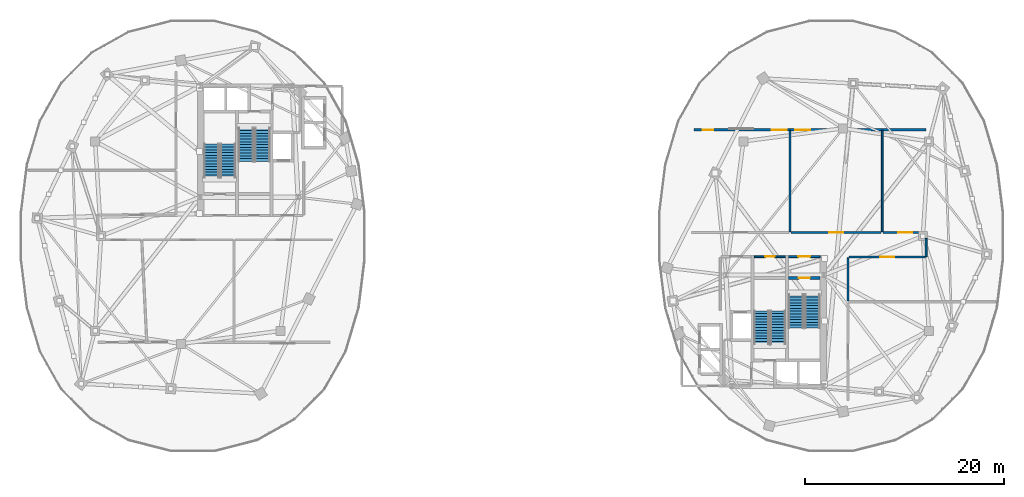
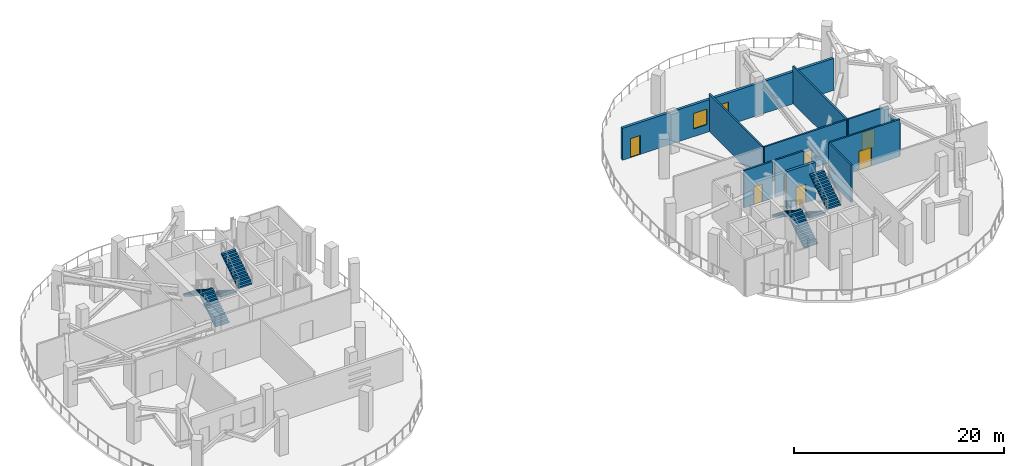
# One storey, part 9 of 14: 11 walls, 8 stair flights, 7 doors, 2 windows, 9 openings, 4 elements without a shape of their own.
"""IFC4 building model written with IfcOpenShell, lengths in metres."""

from ifc_helpers import new_model, si_unit, direction, frame, frame_2d, origin, place, context, subcontext, project, spatial, polyline, rectangle, outline, extrude, material, layer, layer_set, type_object, element, fill, aggregate, save


model = new_model("IFC4")

# Units and contexts
model_context = context("Model", 3, precision=1e-05, world=origin(), true_north=direction((0.0, 1.0)))
body_context = subcontext(model_context, "Body", "Model", "MODEL_VIEW")
ifc_project = project(units=[si_unit("LENGTHUNIT", "METRE"), si_unit("AREAUNIT", "SQUARE_METRE"), si_unit("VOLUMEUNIT", "CUBIC_METRE"), si_unit("PLANEANGLEUNIT", "RADIAN"), si_unit("MASSUNIT", "GRAM", prefix="KILO"), si_unit("THERMODYNAMICTEMPERATUREUNIT", "KELVIN"), si_unit("POWERUNIT", "WATT")], contexts=[model_context])

# Site, building, storey
site_placement = place(None, origin())
site = spatial("IfcSite", under=ifc_project, at=site_placement, CompositionType="ELEMENT")
building_placement = place(site_placement, origin())
building = spatial("IfcBuilding", under=site, at=building_placement, Name="Cundina Bronze Exchange", CompositionType="ELEMENT")
storey_placement = place(building_placement, frame((0.0, 0.0, 187.199951171875)))
storey = spatial("IfcBuildingStorey", under=building, at=storey_placement, Name="L49", CompositionType="ELEMENT", Elevation=187.199951171875)

# Wall, opening, door
ifc_material_1 = material(Name="Gypsum Fireboard Partition EI120")
ifc_layer_1 = layer(ifc_material_1, 0.179931640625, Name="Gypsum Fireboard Partition EI120")
ifc_layer_set_1 = layer_set([ifc_layer_1], Name="Gypsum Fireboard Partition EI120")
wall_type_1 = type_object("IfcWallType", Name="WL-COR-180", PredefinedType="PARTITIONING", material=ifc_layer_set_1)
wall_1_placement = place(storey_placement, frame((27.739990234375, -2.06005859375, 0.0), z_axis=(0.0, 0.0, 1.0), x_axis=(1.0, 0.0, 0.0)))
wall_1 = element("IfcWall", 1, at=wall_1_placement, inside=storey, type_object=wall_type_1, Name="L49 E Stair Vestibule Exit Wall", PredefinedType="PARTITIONING", context=body_context, shape_type="SweptSolid", body=[
    extrude(rectangle(XDim=3.159912109375, YDim=0.179931640625, at=frame_2d((1.580078125, 0.0))), origin(), (0.0, 0.0, 1.0), 4.340087890625),
])
opening_1_placement = place(wall_1_placement, frame((0.97998046875, 0.0, 0.0)))
opening_1 = element("IfcOpeningElement", 2, at=opening_1_placement, cuts=wall_1, Name="Opening DF-01", PredefinedType="OPENING", context=body_context, shape_type="SweptSolid", body=[
    extrude(rectangle(XDim=1.199951171875, YDim=2.14990234375, at=frame_2d((0.60009765625, 1.074951171875))), frame((0.0, 0.099853515625, 0.0), z_axis=(0.0, -1.0, 0.0), x_axis=(1.0, 0.0, 0.0)), (0.0, 0.0, 1.0), 0.199951171875),
])
ifc_material_2 = material(Name="Steel ASTM A36 Painted", Category="steel")
door_type_1 = type_object("IfcDoorType", Name="DR-FFL-1200", OperationType="NOTDEFINED", PredefinedType="DOOR", material=ifc_material_2)
door_1_placement = place(opening_1_placement, origin())
door_1 = element("IfcDoor", 3, at=door_1_placement, inside=storey, type_object=door_type_1, Name="L49 E Stair Vestibule Door", OperationType="SINGLE_SWING_RIGHT", OverallHeight=2.14990234375, OverallWidth=1.199951171875, PredefinedType="DOOR", context=body_context, shape_type="SweptSolid", body=[
    extrude(rectangle(XDim=1.199951171875, YDim=2.14990234375, at=frame_2d((0.60009765625, 1.074951171875))), frame((0.0, 0.02490234375, 0.0), z_axis=(0.0, -1.0, 0.0), x_axis=(1.0, 0.0, 0.0)), (0.0, 0.0, 1.0), 0.050048828125),
])
fill(opening_1, door_1)

wall_2_placement = place(storey_placement, frame((24.300048828125, -2.070068359375, 0.0), z_axis=(0.0, 0.0, 1.0), x_axis=(1.0, 0.0, 0.0)))
wall_2 = element("IfcWall", 4, at=wall_2_placement, inside=storey, type_object=wall_type_1, Name="L49 Interior Partition 025", PredefinedType="PARTITIONING", context=body_context, shape_type="SweptSolid", body=[
    extrude(rectangle(XDim=3.119873046875, YDim=0.179931640625, at=frame_2d((1.56005859375, 0.0))), origin(), (0.0, 0.0, 1.0), 4.340087890625),
])
opening_2_placement = place(wall_2_placement, frame((1.0849609375, 0.0, 0.0)))
opening_2 = element("IfcOpeningElement", 5, at=opening_2_placement, cuts=wall_2, Name="Opening DW-01", PredefinedType="OPENING", context=body_context, shape_type="SweptSolid", body=[
    extrude(rectangle(XDim=0.949951171875, YDim=2.10009765625, at=frame_2d((0.47509765625, 1.050048828125))), frame((0.0, 0.099853515625, 0.0), z_axis=(0.0, -1.0, 0.0), x_axis=(1.0, 0.0, 0.0)), (0.0, 0.0, 1.0), 0.199951171875),
])
ifc_material_3 = material(Name="Solid Andean Oak Timber Grade A", Category="wood")
door_type_2 = type_object("IfcDoorType", Name="DR-WC-950", OperationType="NOTDEFINED", PredefinedType="DOOR", material=ifc_material_3)
door_2_placement = place(opening_2_placement, origin())
door_2 = element("IfcDoor", 6, at=door_2_placement, inside=storey, type_object=door_type_2, Name="L49 Interior Door 025", OperationType="SINGLE_SWING_RIGHT", OverallHeight=2.10009765625, OverallWidth=0.949951171875, PredefinedType="DOOR", context=body_context, shape_type="SweptSolid", body=[
    extrude(rectangle(XDim=0.949951171875, YDim=2.10009765625, at=frame_2d((0.47509765625, 1.050048828125))), frame((0.0, 0.02490234375, 0.0), z_axis=(0.0, -1.0, 0.0), x_axis=(1.0, 0.0, 0.0)), (0.0, 0.0, 1.0), 0.050048828125),
])
fill(opening_2, door_2)

# Wall
wall_3_placement = place(storey_placement, frame((37.1201171875, 0.43994140625, 0.0), z_axis=(0.0, 0.0, 1.0), x_axis=(0.0, 1.0, 0.0)))
element("IfcWall", 7, at=wall_3_placement, inside=storey, type_object=wall_type_1, Name="L49 Interior Partition 027", PredefinedType="PARTITIONING", context=body_context, shape_type="SweptSolid", body=[
    extrude(rectangle(XDim=10.16015625, YDim=0.179931640625, at=frame_2d((5.080078125, 0.0))), origin(), (0.0, 0.0, 1.0), 4.340087890625),
])

# Wall, opening, door
wall_4_placement = place(storey_placement, frame((41.65869140625, 0.3701171875, 0.0), z_axis=(0.0, 0.0, 1.0), x_axis=(-1.0, 0.0, 0.0)))
wall_4 = element("IfcWall", 8, at=wall_4_placement, inside=storey, type_object=wall_type_1, Name="L49 Interior Partition 030", PredefinedType="PARTITIONING", context=body_context, shape_type="SweptSolid", body=[
    extrude(rectangle(XDim=4.438720703125, YDim=0.179931640625, at=frame_2d((2.21923828125, 0.0))), origin(), (0.0, 0.0, 1.0), 4.340087890625),
])
opening_3_placement = place(wall_4_placement, frame((1.519287109375, 0.0, 0.0)))
opening_3 = element("IfcOpeningElement", 9, at=opening_3_placement, cuts=wall_4, Name="Opening DP-01", PredefinedType="OPENING", context=body_context, shape_type="SweptSolid", body=[
    extrude(rectangle(XDim=1.39990234375, YDim=2.199951171875, at=frame_2d((0.699951171875, 1.10009765625))), frame((0.0, 0.099853515625, 0.0), z_axis=(0.0, -1.0, 0.0), x_axis=(1.0, 0.0, 0.0)), (0.0, 0.0, 1.0), 0.199951171875),
])
door_type_3 = type_object("IfcDoorType", Name="DR-PLT-1400", OperationType="NOTDEFINED", PredefinedType="DOOR", material=ifc_material_2)
door_3_placement = place(opening_3_placement, origin())
door_3 = element("IfcDoor", 10, at=door_3_placement, inside=storey, type_object=door_type_3, Name="L49 Interior Door 030", OperationType="SINGLE_SWING_RIGHT", OverallHeight=2.199951171875, OverallWidth=1.39990234375, PredefinedType="DOOR", context=body_context, shape_type="SweptSolid", body=[
    extrude(rectangle(XDim=1.39990234375, YDim=2.199951171875, at=frame_2d((0.699951171875, 1.10009765625))), frame((0.0, 0.02490234375, 0.0), z_axis=(0.0, -1.0, 0.0), x_axis=(1.0, 0.0, 0.0)), (0.0, 0.0, 1.0), 0.050048828125),
])
fill(opening_3, door_3)

wall_5_placement = place(storey_placement, frame((37.02001953125, 0.3701171875, 0.0), z_axis=(0.0, 0.0, 1.0), x_axis=(-1.0, 0.0, 0.0)))
wall_5 = element("IfcWall", 11, at=wall_5_placement, inside=storey, type_object=wall_type_1, Name="L49 Interior Partition 031", PredefinedType="PARTITIONING", context=body_context, shape_type="SweptSolid", body=[
    extrude(rectangle(XDim=9.0400390625, YDim=0.179931640625, at=frame_2d((4.52001953125, 0.0))), origin(), (0.0, 0.0, 1.0), 4.340087890625),
])
opening_4_placement = place(wall_5_placement, frame((3.820068359375, 0.0, 0.0)))
opening_4 = element("IfcOpeningElement", 12, at=opening_4_placement, cuts=wall_5, Name="Opening DP-01", PredefinedType="OPENING", context=body_context, shape_type="SweptSolid", body=[
    extrude(rectangle(XDim=1.39990234375, YDim=2.199951171875, at=frame_2d((0.699951171875, 1.10009765625))), frame((0.0, 0.099853515625, 0.0), z_axis=(0.0, -1.0, 0.0), x_axis=(1.0, 0.0, 0.0)), (0.0, 0.0, 1.0), 0.199951171875),
])
door_4_placement = place(opening_4_placement, origin())
door_4 = element("IfcDoor", 13, at=door_4_placement, inside=storey, type_object=door_type_3, Name="L49 Interior Door 031", OperationType="SINGLE_SWING_RIGHT", OverallHeight=2.199951171875, OverallWidth=1.39990234375, PredefinedType="DOOR", context=body_context, shape_type="SweptSolid", body=[
    extrude(rectangle(XDim=1.39990234375, YDim=2.199951171875, at=frame_2d((0.699951171875, 1.10009765625))), frame((0.0, 0.02490234375, 0.0), z_axis=(0.0, -1.0, 0.0), x_axis=(1.0, 0.0, 0.0)), (0.0, 0.0, 1.0), 0.050048828125),
])
fill(opening_4, door_4)

wall_6_placement = place(storey_placement, frame((33.77001953125, -2.10009765625, 0.0), z_axis=(0.0, 0.0, 1.0), x_axis=(1.0, 0.0, 0.0)))
wall_6 = element("IfcWall", 14, at=wall_6_placement, inside=storey, type_object=wall_type_1, Name="L49 Interior Partition 032", PredefinedType="PARTITIONING", context=body_context, shape_type="SweptSolid", body=[
    extrude(rectangle(XDim=7.70849609375, YDim=0.179931640625, at=frame_2d((3.854248046875, 0.0))), origin(), (0.0, 0.0, 1.0), 4.340087890625),
])
opening_5_placement = place(wall_6_placement, frame((3.154296875, 0.0, 0.0)))
opening_5 = element("IfcOpeningElement", 15, at=opening_5_placement, cuts=wall_6, Name="Opening DP-01", PredefinedType="OPENING", context=body_context, shape_type="SweptSolid", body=[
    extrude(rectangle(XDim=1.39990234375, YDim=2.199951171875, at=frame_2d((0.699951171875, 1.10009765625))), frame((0.0, 0.099853515625, 0.0), z_axis=(0.0, -1.0, 0.0), x_axis=(1.0, 0.0, 0.0)), (0.0, 0.0, 1.0), 0.199951171875),
])
door_5_placement = place(opening_5_placement, origin())
door_5 = element("IfcDoor", 16, at=door_5_placement, inside=storey, type_object=door_type_3, Name="L49 Interior Door 032", OperationType="SINGLE_SWING_RIGHT", OverallHeight=2.199951171875, OverallWidth=1.39990234375, PredefinedType="DOOR", context=body_context, shape_type="SweptSolid", body=[
    extrude(rectangle(XDim=1.39990234375, YDim=2.199951171875, at=frame_2d((0.699951171875, 1.10009765625))), frame((0.0, 0.02490234375, 0.0), z_axis=(0.0, -1.0, 0.0), x_axis=(1.0, 0.0, 0.0)), (0.0, 0.0, 1.0), 0.050048828125),
])
fill(opening_5, door_5)

# Walls
wall_7_placement = place(storey_placement, frame((33.68994140625, -6.5, 0.0), z_axis=(0.0, 0.0, 1.0), x_axis=(0.0, 1.0, 0.0)))
element("IfcWall", 17, at=wall_7_placement, inside=storey, type_object=wall_type_1, Name="L49 Interior Partition 033", PredefinedType="PARTITIONING", context=body_context, shape_type="SweptSolid", body=[
    extrude(rectangle(XDim=4.320068359375, YDim=0.179931640625, at=frame_2d((2.16015625, 0.0))), origin(), (0.0, 0.0, 1.0), 4.340087890625),
])
wall_8_placement = place(storey_placement, frame((41.52001953125, -2.05859375, 0.0), z_axis=(0.0, 0.0, 1.0), x_axis=(0.0, 1.0, 0.0)))
element("IfcWall", 18, at=wall_8_placement, inside=storey, type_object=wall_type_1, Name="L49 Interior Partition 034", PredefinedType="PARTITIONING", context=body_context, shape_type="SweptSolid", body=[
    extrude(rectangle(XDim=1.838623046875, YDim=0.179931640625, at=frame_2d((0.91943359375, 0.0))), origin(), (0.0, 0.0, 1.0), 3.72412109375),
])
wall_9_placement = place(storey_placement, frame((27.8798828125, 0.43994140625, 0.0), z_axis=(0.0, 0.0, 1.0), x_axis=(0.0, 1.0, 0.0)))
element("IfcWall", 19, at=wall_9_placement, inside=storey, type_object=wall_type_1, Name="L49 Interior Partition 036", PredefinedType="PARTITIONING", context=body_context, shape_type="SweptSolid", body=[
    extrude(rectangle(XDim=10.16015625, YDim=0.179931640625, at=frame_2d((5.080078125, 0.0))), origin(), (0.0, 0.0, 1.0), 4.340087890625),
])

# Wall, openings, door, windows
ifc_material_4 = material(Name="Precast Concrete C45/55", Category="concrete")
ifc_layer_2 = layer(ifc_material_4, 0.280029296875, Name="Precast Concrete C45/55", Category="concrete")
ifc_layer_set_2 = layer_set([ifc_layer_2], Name="Precast Concrete C45/55")
wall_type_2 = type_object("IfcWallType", Name="WL-EXT-280", PredefinedType="SOLIDWALL", material=ifc_layer_set_2)
wall_10_placement = place(storey_placement, frame((18.25, 10.64990234375, 0.0), z_axis=(0.0, 0.0, 1.0), x_axis=(1.0, 0.0, 0.0)))
wall_10 = element("IfcWall", 20, at=wall_10_placement, inside=storey, type_object=wall_type_2, Name="L49 Leg E Refuge Veranda Weather Wall", PredefinedType="SOLIDWALL", context=body_context, shape_type="SweptSolid", body=[
    extrude(rectangle(XDim=23.25, YDim=0.280029296875, at=frame_2d((11.625, 0.0))), origin(), (0.0, 0.0, 1.0), 3.72412109375),
])
opening_6_placement = place(wall_10_placement, frame((0.85009765625, 0.0, 0.0)))
opening_6 = element("IfcOpeningElement", 21, at=opening_6_placement, cuts=wall_10, Name="Opening DT-01", PredefinedType="OPENING", context=body_context, shape_type="SweptSolid", body=[
    extrude(rectangle(XDim=1.10009765625, YDim=2.199951171875, at=frame_2d((0.550048828125, 1.10009765625))), frame((0.0, 0.14990234375, 0.0), z_axis=(0.0, -1.0, 0.0), x_axis=(1.0, 0.0, 0.0)), (0.0, 0.0, 1.0), 0.300048828125),
])
opening_7_placement = place(wall_10_placement, frame((7.800048828125, 0.0, 0.89990234375)))
opening_7 = element("IfcOpeningElement", 22, at=opening_7_placement, cuts=wall_10, Name="Opening W-03", PredefinedType="OPENING", context=body_context, shape_type="SweptSolid", body=[
    extrude(rectangle(XDim=1.5, YDim=1.800048828125, at=frame_2d((0.75, 0.89990234375))), frame((0.0, 0.14990234375, 0.0), z_axis=(0.0, -1.0, 0.0), x_axis=(1.0, 0.0, 0.0)), (0.0, 0.0, 1.0), 0.300048828125),
])
opening_8_placement = place(wall_10_placement, frame((10.14990234375, 0.0, 0.89990234375)))
opening_8 = element("IfcOpeningElement", 23, at=opening_8_placement, cuts=wall_10, Name="Opening W-03", PredefinedType="OPENING", context=body_context, shape_type="SweptSolid", body=[
    extrude(rectangle(XDim=1.5, YDim=1.800048828125, at=frame_2d((0.75, 0.89990234375))), frame((0.0, 0.14990234375, 0.0), z_axis=(0.0, -1.0, 0.0), x_axis=(1.0, 0.0, 0.0)), (0.0, 0.0, 1.0), 0.300048828125),
])
ifc_material_5 = material(Name="Anodised Bronze Aluminium 6063-T6", Category="aluminium")
door_type_4 = type_object("IfcDoorType", Name="DR-TER-1100", OperationType="NOTDEFINED", PredefinedType="DOOR", material=ifc_material_5)
door_6_placement = place(opening_6_placement, origin())
door_6 = element("IfcDoor", 24, at=door_6_placement, inside=storey, type_object=door_type_4, Name="L49 Leg E Open Refuge Veranda Door", OperationType="SINGLE_SWING_RIGHT", OverallHeight=2.199951171875, OverallWidth=1.10009765625, PredefinedType="DOOR", context=body_context, shape_type="SweptSolid", body=[
    extrude(rectangle(XDim=1.10009765625, YDim=2.199951171875, at=frame_2d((0.550048828125, 1.10009765625))), frame((0.0, 0.02490234375, 0.0), z_axis=(0.0, -1.0, 0.0), x_axis=(1.0, 0.0, 0.0)), (0.0, 0.0, 1.0), 0.050048828125),
])
fill(opening_6, door_6)
ifc_material_6 = material(Name="Heat-Strengthened Solar-Control Bronze Safety Glass 28mm", Category="glass")
window_type = type_object("IfcWindowType", Name="WN-REF-1500", PartitioningType="SINGLE_PANEL", PredefinedType="WINDOW", material=ifc_material_6)
window_1_placement = place(opening_7_placement, origin())
window_1 = element("IfcWindow", 25, at=window_1_placement, inside=storey, type_object=window_type, Name="L49 Leg E Refuge Plant Window 1", OverallHeight=1.800048828125, OverallWidth=1.5, PartitioningType="SINGLE_PANEL", PredefinedType="WINDOW", context=body_context, shape_type="SweptSolid", body=[
    extrude(rectangle(XDim=1.5, YDim=1.800048828125, at=frame_2d((0.75, 0.89990234375))), frame((0.0, 0.030029296875, 0.0), z_axis=(0.0, -1.0, 0.0), x_axis=(1.0, 0.0, 0.0)), (0.0, 0.0, 1.0), 0.06005859375),
])
fill(opening_7, window_1)
window_2_placement = place(opening_8_placement, origin())
window_2 = element("IfcWindow", 26, at=window_2_placement, inside=storey, type_object=window_type, Name="L49 Leg E Refuge Plant Window 2", OverallHeight=1.800048828125, OverallWidth=1.5, PartitioningType="SINGLE_PANEL", PredefinedType="WINDOW", context=body_context, shape_type="SweptSolid", body=[
    extrude(rectangle(XDim=1.5, YDim=1.800048828125, at=frame_2d((0.75, 0.89990234375))), frame((0.0, 0.030029296875, 0.0), z_axis=(0.0, -1.0, 0.0), x_axis=(1.0, 0.0, 0.0)), (0.0, 0.0, 1.0), 0.06005859375),
])
fill(opening_8, window_2)

# Wall, opening, door
ifc_material_7 = material(Name="Concrete C50/60", Category="concrete")
ifc_layer_3 = layer(ifc_material_7, 0.300048828125, Name="Concrete C50/60", Category="concrete")
ifc_layer_set_3 = layer_set([ifc_layer_3], Name="Concrete C50/60")
wall_type_3 = type_object("IfcWallType", Name="WL-SHFT-300", PredefinedType="SHEAR", material=ifc_layer_set_3)
wall_11_placement = place(storey_placement, frame((27.739990234375, -4.199951171875, 0.0), z_axis=(0.0, 0.0, 1.0), x_axis=(1.0, 0.0, 0.0)))
wall_11 = element("IfcWall", 27, at=wall_11_placement, inside=storey, type_object=wall_type_3, Name="L49 Stair E1 Landing Wall", PredefinedType="SHEAR", context=body_context, shape_type="SweptSolid", body=[
    extrude(rectangle(XDim=3.159912109375, YDim=0.300048828125, at=frame_2d((1.580078125, 0.0))), origin(), (0.0, 0.0, 1.0), 4.340087890625),
])
opening_9_placement = place(wall_11_placement, frame((1.030029296875, 0.0, 0.0)))
opening_9 = element("IfcOpeningElement", 28, at=opening_9_placement, cuts=wall_11, Name="Opening DS-01", PredefinedType="OPENING", context=body_context, shape_type="SweptSolid", body=[
    extrude(rectangle(XDim=1.10009765625, YDim=2.14990234375, at=frame_2d((0.550048828125, 1.074951171875))), frame((0.0, 0.159912109375, 0.0), z_axis=(0.0, -1.0, 0.0), x_axis=(1.0, 0.0, 0.0)), (0.0, 0.0, 1.0), 0.320068359375),
])
door_type_5 = type_object("IfcDoorType", Name="DR-STR-1100", OperationType="NOTDEFINED", PredefinedType="DOOR", material=ifc_material_2)
door_7_placement = place(opening_9_placement, origin())
door_7 = element("IfcDoor", 29, at=door_7_placement, inside=storey, type_object=door_type_5, Name="L49 Smokeproof Stair E1 Door", OperationType="SINGLE_SWING_LEFT", OverallHeight=2.14990234375, OverallWidth=1.10009765625, PredefinedType="DOOR", context=body_context, shape_type="SweptSolid", body=[
    extrude(rectangle(XDim=1.10009765625, YDim=2.14990234375, at=frame_2d((0.550048828125, 1.074951171875))), frame((0.0, 0.02490234375, 0.0), z_axis=(0.0, -1.0, 0.0), x_axis=(1.0, 0.0, 0.0)), (0.0, 0.0, 1.0), 0.050048828125),
])
fill(opening_9, door_7)

# Stair, stair flights
ifc_material_8 = material(Name="Concrete C40/50", Category="concrete")
stair_type = type_object("IfcStairType", Name="STR-REF-460", PredefinedType="HALF_TURN_STAIR", material=ifc_material_8)
stair_1_placement = place(storey_placement, origin())
stair_1 = element("IfcStair", 30, at=stair_1_placement, inside=storey, type_object=stair_type, Name="L49 Smokeproof Exit Stair W1", PredefinedType="HALF_TURN_STAIR")
stair_flight_type = type_object("IfcStairFlightType", Name="FLG-REF-230", PredefinedType="STRAIGHT", material=ifc_material_8)
stair_flight_1_placement = place(storey_placement, frame((-28.489990234375, 5.85009765625, 0.0), z_axis=(0.0, 0.0, 1.0), x_axis=(0.0, 1.0, 0.0)))
stair_flight_1 = element("IfcStairFlight", 31, at=stair_flight_1_placement, type_object=stair_flight_type, Name="ST-W1 flight 1", NumberOfRisers=13, NumberOfTreads=12, PredefinedType="STRAIGHT", RiserHeight=0.176923077, TreadLength=0.28, context=body_context, shape_type="SweptSolid", body=[
    extrude(outline(polyline([(0.0, 0.0), (0.0, 0.177001953125), (0.280029296875, 0.177001953125), (0.280029296875, 0.353759765625), (0.56005859375, 0.353759765625), (0.56005859375, 0.53076171875), (0.840087890625, 0.53076171875), (0.840087890625, 0.707763671875), (1.1201171875, 0.707763671875), (1.1201171875, 0.884521484375), (1.39990234375, 0.884521484375), (1.39990234375, 1.0615234375), (1.679931640625, 1.0615234375), (1.679931640625, 1.238525390625), (1.9599609375, 1.238525390625), (1.9599609375, 1.415283203125), (2.239990234375, 1.415283203125), (2.239990234375, 1.59228515625), (2.52001953125, 1.59228515625), (2.52001953125, 1.769287109375), (2.800048828125, 1.769287109375), (2.800048828125, 1.946044921875), (3.080078125, 1.946044921875), (3.080078125, 2.123046875), (3.360107421875, 2.123046875), (3.360107421875, 2.300048828125), (3.360107421875, 1.94580078125), (0.280517578125, 0.0), (0.0, 0.0)])), frame((0.0, 0.75, 0.0), z_axis=(0.0, -1.0, 0.0), x_axis=(1.0, 0.0, 0.0)), (0.0, 0.0, 1.0), 1.5),
])
stair_flight_2_placement = place(storey_placement, frame((-30.14990234375, 9.2099609375, 2.300048828125), z_axis=(0.0, 0.0, 1.0), x_axis=(0.0, -1.0, 0.0)))
stair_flight_2 = element("IfcStairFlight", 32, at=stair_flight_2_placement, type_object=stair_flight_type, Name="ST-W1 flight 2", NumberOfRisers=13, NumberOfTreads=12, PredefinedType="STRAIGHT", RiserHeight=0.176923077, TreadLength=0.28, context=body_context, shape_type="SweptSolid", body=[
    extrude(outline(polyline([(0.0, 0.0), (0.0, 0.177001953125), (0.280029296875, 0.177001953125), (0.280029296875, 0.353759765625), (0.56005859375, 0.353759765625), (0.56005859375, 0.53076171875), (0.840087890625, 0.53076171875), (0.840087890625, 0.707763671875), (1.1201171875, 0.707763671875), (1.1201171875, 0.884521484375), (1.39990234375, 0.884521484375), (1.39990234375, 1.0615234375), (1.679931640625, 1.0615234375), (1.679931640625, 1.238525390625), (1.9599609375, 1.238525390625), (1.9599609375, 1.415283203125), (2.239990234375, 1.415283203125), (2.239990234375, 1.59228515625), (2.52001953125, 1.59228515625), (2.52001953125, 1.769287109375), (2.800048828125, 1.769287109375), (2.800048828125, 1.946044921875), (3.080078125, 1.946044921875), (3.080078125, 2.123046875), (3.360107421875, 2.123046875), (3.360107421875, 2.300048828125), (3.360107421875, 1.94580078125), (0.280517578125, 0.0), (0.0, 0.0)])), frame((0.0, 0.75, 0.0), z_axis=(0.0, -1.0, 0.0), x_axis=(1.0, 0.0, 0.0)), (0.0, 0.0, 1.0), 1.5),
])
aggregate(stair_1, [stair_flight_1, stair_flight_2])

stair_2_placement = place(storey_placement, origin())
stair_2 = element("IfcStair", 33, at=stair_2_placement, inside=storey, type_object=stair_type, Name="L49 Smokeproof Exit Stair W2", PredefinedType="HALF_TURN_STAIR")
stair_flight_3_placement = place(storey_placement, frame((-26.68994140625, 10.85009765625, 0.0), z_axis=(0.0, 0.0, 1.0), x_axis=(0.0, -1.0, 0.0)))
stair_flight_3 = element("IfcStairFlight", 34, at=stair_flight_3_placement, type_object=stair_flight_type, Name="ST-W2 flight 1", NumberOfRisers=13, NumberOfTreads=12, PredefinedType="STRAIGHT", RiserHeight=0.176923077, TreadLength=0.28, context=body_context, shape_type="SweptSolid", body=[
    extrude(outline(polyline([(0.0, 0.0), (0.0, 0.177001953125), (0.280029296875, 0.177001953125), (0.280029296875, 0.353759765625), (0.56005859375, 0.353759765625), (0.56005859375, 0.53076171875), (0.840087890625, 0.53076171875), (0.840087890625, 0.707763671875), (1.1201171875, 0.707763671875), (1.1201171875, 0.884521484375), (1.39990234375, 0.884521484375), (1.39990234375, 1.0615234375), (1.679931640625, 1.0615234375), (1.679931640625, 1.238525390625), (1.9599609375, 1.238525390625), (1.9599609375, 1.415283203125), (2.239990234375, 1.415283203125), (2.239990234375, 1.59228515625), (2.52001953125, 1.59228515625), (2.52001953125, 1.769287109375), (2.800048828125, 1.769287109375), (2.800048828125, 1.946044921875), (3.080078125, 1.946044921875), (3.080078125, 2.123046875), (3.360107421875, 2.123046875), (3.360107421875, 2.300048828125), (3.360107421875, 1.94580078125), (0.280517578125, 0.0), (0.0, 0.0)])), frame((0.0, 0.75, 0.0), z_axis=(0.0, -1.0, 0.0), x_axis=(1.0, 0.0, 0.0)), (0.0, 0.0, 1.0), 1.5),
])
stair_flight_4_placement = place(storey_placement, frame((-25.030029296875, 7.489990234375, 2.300048828125), z_axis=(0.0, 0.0, 1.0), x_axis=(0.0, 1.0, 0.0)))
stair_flight_4 = element("IfcStairFlight", 35, at=stair_flight_4_placement, type_object=stair_flight_type, Name="ST-W2 flight 2", NumberOfRisers=13, NumberOfTreads=12, PredefinedType="STRAIGHT", RiserHeight=0.176923077, TreadLength=0.28, context=body_context, shape_type="SweptSolid", body=[
    extrude(outline(polyline([(0.0, 0.0), (0.0, 0.177001953125), (0.280029296875, 0.177001953125), (0.280029296875, 0.353759765625), (0.56005859375, 0.353759765625), (0.56005859375, 0.53076171875), (0.840087890625, 0.53076171875), (0.840087890625, 0.707763671875), (1.1201171875, 0.707763671875), (1.1201171875, 0.884521484375), (1.39990234375, 0.884521484375), (1.39990234375, 1.0615234375), (1.679931640625, 1.0615234375), (1.679931640625, 1.238525390625), (1.9599609375, 1.238525390625), (1.9599609375, 1.415283203125), (2.239990234375, 1.415283203125), (2.239990234375, 1.59228515625), (2.52001953125, 1.59228515625), (2.52001953125, 1.769287109375), (2.800048828125, 1.769287109375), (2.800048828125, 1.946044921875), (3.080078125, 1.946044921875), (3.080078125, 2.123046875), (3.360107421875, 2.123046875), (3.360107421875, 2.300048828125), (3.360107421875, 1.94580078125), (0.280517578125, 0.0), (0.0, 0.0)])), frame((0.0, 0.75, 0.0), z_axis=(0.0, -1.0, 0.0), x_axis=(1.0, 0.0, 0.0)), (0.0, 0.0, 1.0), 1.5),
])
aggregate(stair_2, [stair_flight_3, stair_flight_4])

stair_3_placement = place(storey_placement, origin())
stair_3 = element("IfcStair", 36, at=stair_3_placement, inside=storey, type_object=stair_type, Name="L49 Smokeproof Exit Stair E1", PredefinedType="HALF_TURN_STAIR")
stair_flight_5_placement = place(storey_placement, frame((28.489990234375, -5.85009765625, 0.0), z_axis=(0.0, 0.0, 1.0), x_axis=(0.0, -1.0, 0.0)))
stair_flight_5 = element("IfcStairFlight", 37, at=stair_flight_5_placement, type_object=stair_flight_type, Name="ST-E1 flight 1", NumberOfRisers=13, NumberOfTreads=12, PredefinedType="STRAIGHT", RiserHeight=0.176923077, TreadLength=0.28, context=body_context, shape_type="SweptSolid", body=[
    extrude(outline(polyline([(0.0, 0.0), (0.0, 0.177001953125), (0.280029296875, 0.177001953125), (0.280029296875, 0.353759765625), (0.56005859375, 0.353759765625), (0.56005859375, 0.53076171875), (0.840087890625, 0.53076171875), (0.840087890625, 0.707763671875), (1.1201171875, 0.707763671875), (1.1201171875, 0.884521484375), (1.39990234375, 0.884521484375), (1.39990234375, 1.0615234375), (1.679931640625, 1.0615234375), (1.679931640625, 1.238525390625), (1.9599609375, 1.238525390625), (1.9599609375, 1.415283203125), (2.239990234375, 1.415283203125), (2.239990234375, 1.59228515625), (2.52001953125, 1.59228515625), (2.52001953125, 1.769287109375), (2.800048828125, 1.769287109375), (2.800048828125, 1.946044921875), (3.080078125, 1.946044921875), (3.080078125, 2.123046875), (3.360107421875, 2.123046875), (3.360107421875, 2.300048828125), (3.360107421875, 1.94580078125), (0.280517578125, 0.0), (0.0, 0.0)])), frame((0.0, 0.75, 0.0), z_axis=(0.0, -1.0, 0.0), x_axis=(1.0, 0.0, 0.0)), (0.0, 0.0, 1.0), 1.5),
])
stair_flight_6_placement = place(storey_placement, frame((30.14990234375, -9.2099609375, 2.300048828125), z_axis=(0.0, 0.0, 1.0), x_axis=(0.0, 1.0, 0.0)))
stair_flight_6 = element("IfcStairFlight", 38, at=stair_flight_6_placement, type_object=stair_flight_type, Name="ST-E1 flight 2", NumberOfRisers=13, NumberOfTreads=12, PredefinedType="STRAIGHT", RiserHeight=0.176923077, TreadLength=0.28, context=body_context, shape_type="SweptSolid", body=[
    extrude(outline(polyline([(0.0, 0.0), (0.0, 0.177001953125), (0.280029296875, 0.177001953125), (0.280029296875, 0.353759765625), (0.56005859375, 0.353759765625), (0.56005859375, 0.53076171875), (0.840087890625, 0.53076171875), (0.840087890625, 0.707763671875), (1.1201171875, 0.707763671875), (1.1201171875, 0.884521484375), (1.39990234375, 0.884521484375), (1.39990234375, 1.0615234375), (1.679931640625, 1.0615234375), (1.679931640625, 1.238525390625), (1.9599609375, 1.238525390625), (1.9599609375, 1.415283203125), (2.239990234375, 1.415283203125), (2.239990234375, 1.59228515625), (2.52001953125, 1.59228515625), (2.52001953125, 1.769287109375), (2.800048828125, 1.769287109375), (2.800048828125, 1.946044921875), (3.080078125, 1.946044921875), (3.080078125, 2.123046875), (3.360107421875, 2.123046875), (3.360107421875, 2.300048828125), (3.360107421875, 1.94580078125), (0.280517578125, 0.0), (0.0, 0.0)])), frame((0.0, 0.75, 0.0), z_axis=(0.0, -1.0, 0.0), x_axis=(1.0, 0.0, 0.0)), (0.0, 0.0, 1.0), 1.5),
])
aggregate(stair_3, [stair_flight_5, stair_flight_6])

stair_4_placement = place(storey_placement, origin())
stair_4 = element("IfcStair", 39, at=stair_4_placement, inside=storey, type_object=stair_type, Name="L49 Smokeproof Exit Stair E2", PredefinedType="HALF_TURN_STAIR")
stair_flight_7_placement = place(storey_placement, frame((26.68994140625, -10.85009765625, 0.0), z_axis=(0.0, 0.0, 1.0), x_axis=(0.0, 1.0, 0.0)))
stair_flight_7 = element("IfcStairFlight", 40, at=stair_flight_7_placement, type_object=stair_flight_type, Name="ST-E2 flight 1", NumberOfRisers=13, NumberOfTreads=12, PredefinedType="STRAIGHT", RiserHeight=0.176923077, TreadLength=0.28, context=body_context, shape_type="SweptSolid", body=[
    extrude(outline(polyline([(0.0, 0.0), (0.0, 0.177001953125), (0.280029296875, 0.177001953125), (0.280029296875, 0.353759765625), (0.56005859375, 0.353759765625), (0.56005859375, 0.53076171875), (0.840087890625, 0.53076171875), (0.840087890625, 0.707763671875), (1.1201171875, 0.707763671875), (1.1201171875, 0.884521484375), (1.39990234375, 0.884521484375), (1.39990234375, 1.0615234375), (1.679931640625, 1.0615234375), (1.679931640625, 1.238525390625), (1.9599609375, 1.238525390625), (1.9599609375, 1.415283203125), (2.239990234375, 1.415283203125), (2.239990234375, 1.59228515625), (2.52001953125, 1.59228515625), (2.52001953125, 1.769287109375), (2.800048828125, 1.769287109375), (2.800048828125, 1.946044921875), (3.080078125, 1.946044921875), (3.080078125, 2.123046875), (3.360107421875, 2.123046875), (3.360107421875, 2.300048828125), (3.360107421875, 1.94580078125), (0.280517578125, 0.0), (0.0, 0.0)])), frame((0.0, 0.75, 0.0), z_axis=(0.0, -1.0, 0.0), x_axis=(1.0, 0.0, 0.0)), (0.0, 0.0, 1.0), 1.5),
])
stair_flight_8_placement = place(storey_placement, frame((25.030029296875, -7.489990234375, 2.300048828125), z_axis=(0.0, 0.0, 1.0), x_axis=(0.0, -1.0, 0.0)))
stair_flight_8 = element("IfcStairFlight", 41, at=stair_flight_8_placement, type_object=stair_flight_type, Name="ST-E2 flight 2", NumberOfRisers=13, NumberOfTreads=12, PredefinedType="STRAIGHT", RiserHeight=0.176923077, TreadLength=0.28, context=body_context, shape_type="SweptSolid", body=[
    extrude(outline(polyline([(0.0, 0.0), (0.0, 0.177001953125), (0.280029296875, 0.177001953125), (0.280029296875, 0.353759765625), (0.56005859375, 0.353759765625), (0.56005859375, 0.53076171875), (0.840087890625, 0.53076171875), (0.840087890625, 0.707763671875), (1.1201171875, 0.707763671875), (1.1201171875, 0.884521484375), (1.39990234375, 0.884521484375), (1.39990234375, 1.0615234375), (1.679931640625, 1.0615234375), (1.679931640625, 1.238525390625), (1.9599609375, 1.238525390625), (1.9599609375, 1.415283203125), (2.239990234375, 1.415283203125), (2.239990234375, 1.59228515625), (2.52001953125, 1.59228515625), (2.52001953125, 1.769287109375), (2.800048828125, 1.769287109375), (2.800048828125, 1.946044921875), (3.080078125, 1.946044921875), (3.080078125, 2.123046875), (3.360107421875, 2.123046875), (3.360107421875, 2.300048828125), (3.360107421875, 1.94580078125), (0.280517578125, 0.0), (0.0, 0.0)])), frame((0.0, 0.75, 0.0), z_axis=(0.0, -1.0, 0.0), x_axis=(1.0, 0.0, 0.0)), (0.0, 0.0, 1.0), 1.5),
])
aggregate(stair_4, [stair_flight_7, stair_flight_8])

save(model, "model.ifc")
